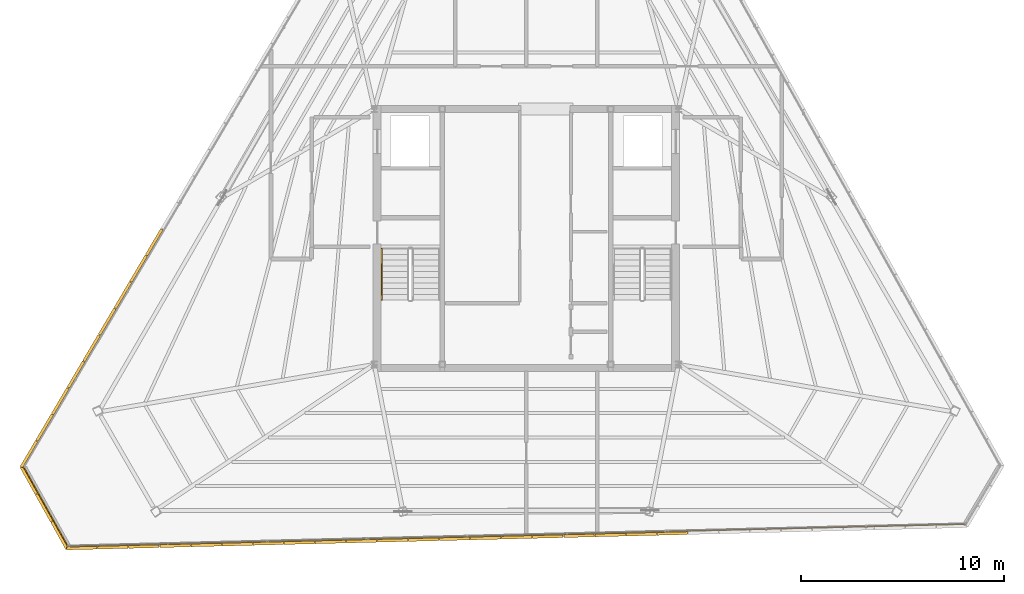
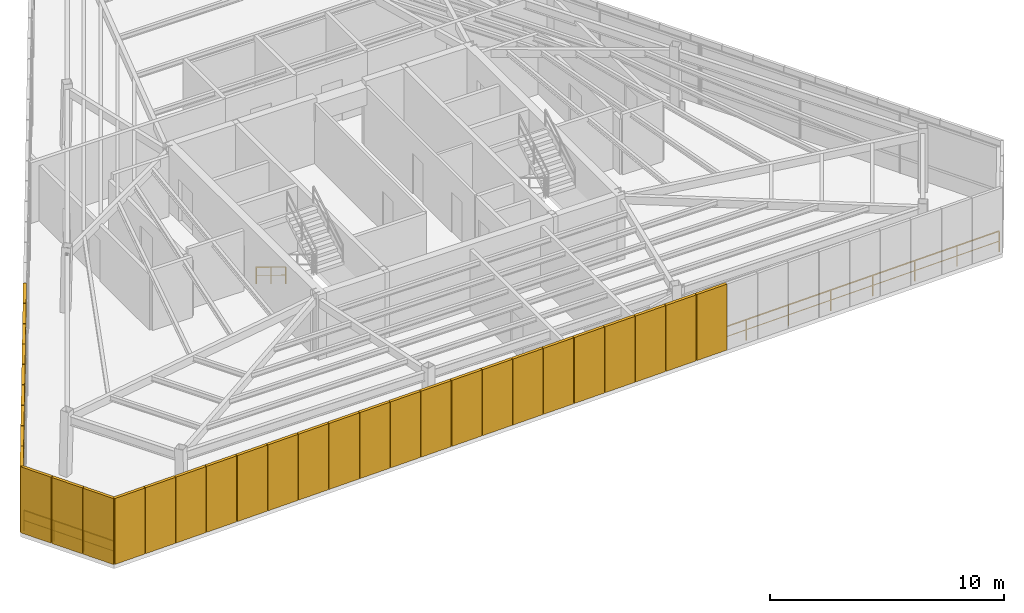
# One storey, part 42 of 44: 32 shading devices, 3 railings.
"""IFC4 building model written with IfcOpenShell, lengths in metres."""

from ifc_helpers import new_model, si_unit, direction, frame, origin, origin_2d, place, context, subcontext, project, spatial, rectangle, extrude, source, transform, mapped, material, layer, layer_set, type_object, type_shapes, element, save


model = new_model("IFC4")

# Units and contexts
model_context = context("Model", 3, precision=1e-05, world=origin(), true_north=direction((0.0, 1.0)))
body_context = subcontext(model_context, "Body", "Model", "MODEL_VIEW")
ifc_project = project(units=[si_unit("LENGTHUNIT", "METRE"), si_unit("AREAUNIT", "SQUARE_METRE"), si_unit("VOLUMEUNIT", "CUBIC_METRE"), si_unit("PLANEANGLEUNIT", "RADIAN"), si_unit("MASSUNIT", "GRAM", prefix="KILO")], contexts=[model_context])

# Site, building, storey
site_placement = place(None, origin())
site = spatial("IfcSite", under=ifc_project, at=site_placement, CompositionType="ELEMENT")
building_placement = place(site_placement, origin())
building = spatial("IfcBuilding", under=site, at=building_placement, Name="Caelisora Broadcast Tower", CompositionType="ELEMENT")
storey_placement = place(building_placement, frame((0.0, 0.0, 296.60009765625)))
storey = spatial("IfcBuildingStorey", under=building, at=storey_placement, Name="L78", CompositionType="ELEMENT", Elevation=296.60009765625)

# Railings
ifc_material_1 = material(Name="Galvanised Steel Safety Guardrail", Category="steel")
ifc_layer_1 = layer(ifc_material_1, 0.048095703125, Name="Galvanised Steel Safety Guardrail")
ifc_layer_set_1 = layer_set([ifc_layer_1], Name="Galvanised Steel Safety Guardrail")
railing_type_1 = type_object("IfcRailingType", Name="GR-1", PredefinedType="GUARDRAIL", material=ifc_layer_set_1)
railing_1_placement = place(storey_placement, frame((59.675048828125, 9.51904296875, 0.0)))
element("IfcRailing", 1, at=railing_1_placement, inside=storey, type_object=railing_type_1, Name="L78 balustrade GR-1 #03", PredefinedType="GUARDRAIL", context=body_context, shape_type="SweptSolid", body=[
    extrude(rectangle(XDim=0.048095703125, YDim=0.048095703125, at=origin_2d()), frame((0.0, 0.0, 1.076171875), z_axis=(-0.999694492921, -0.024716812573, 0.0), x_axis=(0.024716812573, -0.999694492921, 0.0)), (0.0, 0.0, 1.0), 44.300537109375),
    extrude(rectangle(XDim=0.03125, YDim=0.03125, at=origin_2d()), frame((0.0, 0.0, 0.550048828125), z_axis=(-0.999694492921, -0.024716812573, 0.0), x_axis=(0.024716812573, -0.999694492921, 0.0)), (0.0, 0.0, 1.0), 44.300537109375),
    extrude(rectangle(XDim=0.0419921875, YDim=0.0419921875, at=origin_2d()), origin(), (0.0, 0.0, 1.0), 1.052001953125),
    extrude(rectangle(XDim=0.0419921875, YDim=0.0419921875, at=origin_2d()), frame((-2.10888671875, -0.05224609375, 0.0)), (0.0, 0.0, 1.0), 1.052001953125),
    extrude(rectangle(XDim=0.0419921875, YDim=0.0419921875, at=origin_2d()), frame((-4.2177734375, -0.104248046875, 0.0)), (0.0, 0.0, 1.0), 1.052001953125),
    extrude(rectangle(XDim=0.0419921875, YDim=0.0419921875, at=origin_2d()), frame((-6.32666015625, -0.156494140625, 0.0)), (0.0, 0.0, 1.0), 1.052001953125),
    extrude(rectangle(XDim=0.0419921875, YDim=0.0419921875, at=origin_2d()), frame((-8.435546875, -0.20849609375, 0.0)), (0.0, 0.0, 1.0), 1.052001953125),
    extrude(rectangle(XDim=0.0419921875, YDim=0.0419921875, at=origin_2d()), frame((-10.54443359375, -0.2607421875, 0.0)), (0.0, 0.0, 1.0), 1.052001953125),
    extrude(rectangle(XDim=0.0419921875, YDim=0.0419921875, at=origin_2d()), frame((-12.653564453125, -0.312744140625, 0.0)), (0.0, 0.0, 1.0), 1.052001953125),
    extrude(rectangle(XDim=0.0419921875, YDim=0.0419921875, at=origin_2d()), frame((-14.762451171875, -0.364990234375, 0.0)), (0.0, 0.0, 1.0), 1.052001953125),
    extrude(rectangle(XDim=0.0419921875, YDim=0.0419921875, at=origin_2d()), frame((-16.871337890625, -0.417236328125, 0.0)), (0.0, 0.0, 1.0), 1.052001953125),
    extrude(rectangle(XDim=0.0419921875, YDim=0.0419921875, at=origin_2d()), frame((-18.980224609375, -0.46923828125, 0.0)), (0.0, 0.0, 1.0), 1.052001953125),
    extrude(rectangle(XDim=0.0419921875, YDim=0.0419921875, at=origin_2d()), frame((-21.089111328125, -0.521484375, 0.0)), (0.0, 0.0, 1.0), 1.052001953125),
    extrude(rectangle(XDim=0.0419921875, YDim=0.0419921875, at=origin_2d()), frame((-23.197998046875, -0.573486328125, 0.0)), (0.0, 0.0, 1.0), 1.052001953125),
    extrude(rectangle(XDim=0.0419921875, YDim=0.0419921875, at=origin_2d()), frame((-25.306884765625, -0.625732421875, 0.0)), (0.0, 0.0, 1.0), 1.052001953125),
    extrude(rectangle(XDim=0.0419921875, YDim=0.0419921875, at=origin_2d()), frame((-27.415771484375, -0.677734375, 0.0)), (0.0, 0.0, 1.0), 1.052001953125),
    extrude(rectangle(XDim=0.0419921875, YDim=0.0419921875, at=origin_2d()), frame((-29.524658203125, -0.72998046875, 0.0)), (0.0, 0.0, 1.0), 1.052001953125),
    extrude(rectangle(XDim=0.0419921875, YDim=0.0419921875, at=origin_2d()), frame((-31.633544921875, -0.7822265625, 0.0)), (0.0, 0.0, 1.0), 1.052001953125),
    extrude(rectangle(XDim=0.0419921875, YDim=0.0419921875, at=origin_2d()), frame((-33.74267578125, -0.834228515625, 0.0)), (0.0, 0.0, 1.0), 1.052001953125),
    extrude(rectangle(XDim=0.0419921875, YDim=0.0419921875, at=origin_2d()), frame((-35.8515625, -0.886474609375, 0.0)), (0.0, 0.0, 1.0), 1.052001953125),
    extrude(rectangle(XDim=0.0419921875, YDim=0.0419921875, at=origin_2d()), frame((-37.96044921875, -0.9384765625, 0.0)), (0.0, 0.0, 1.0), 1.052001953125),
    extrude(rectangle(XDim=0.0419921875, YDim=0.0419921875, at=origin_2d()), frame((-40.0693359375, -0.99072265625, 0.0)), (0.0, 0.0, 1.0), 1.052001953125),
    extrude(rectangle(XDim=0.0419921875, YDim=0.0419921875, at=origin_2d()), frame((-42.17822265625, -1.042724609375, 0.0)), (0.0, 0.0, 1.0), 1.052001953125),
    extrude(rectangle(XDim=0.0419921875, YDim=0.0419921875, at=origin_2d()), frame((-44.287109375, -1.094970703125, 0.0)), (0.0, 0.0, 1.0), 1.052001953125),
])
railing_2_placement = place(storey_placement, frame((15.387939453125, 8.424072265625, 0.0)))
element("IfcRailing", 2, at=railing_2_placement, inside=storey, type_object=railing_type_1, Name="L78 balustrade GR-1 #04", PredefinedType="GUARDRAIL", context=body_context, shape_type="SweptSolid", body=[
    extrude(rectangle(XDim=0.048095703125, YDim=0.048095703125, at=origin_2d()), frame((0.0, 0.0, 1.076171875), z_axis=(-0.487259964811, 0.873256964869, 0.0), x_axis=(-0.873256964869, -0.487259964811, 0.0)), (0.0, 0.0, 1.0), 4.484375),
    extrude(rectangle(XDim=0.03125, YDim=0.03125, at=origin_2d()), frame((0.0, 0.0, 0.550048828125), z_axis=(-0.487259964811, 0.873256964869, 0.0), x_axis=(-0.873256964869, -0.487259964811, 0.0)), (0.0, 0.0, 1.0), 4.484375),
    extrude(rectangle(XDim=0.0419921875, YDim=0.0419921875, at=origin_2d()), origin(), (0.0, 0.0, 1.0), 1.052001953125),
    extrude(rectangle(XDim=0.0419921875, YDim=0.0419921875, at=origin_2d()), frame((-0.728271484375, 1.305419921875, 0.0)), (0.0, 0.0, 1.0), 1.052001953125),
    extrude(rectangle(XDim=0.0419921875, YDim=0.0419921875, at=origin_2d()), frame((-1.456787109375, 2.610595703125, 0.0)), (0.0, 0.0, 1.0), 1.052001953125),
    extrude(rectangle(XDim=0.0419921875, YDim=0.0419921875, at=origin_2d()), frame((-2.18505859375, 3.916015625, 0.0)), (0.0, 0.0, 1.0), 1.052001953125),
])
ifc_material_2 = material(Name="Stainless Steel Grade 316 Tubular Handrail", Category="steel")
ifc_layer_2 = layer(ifc_material_2, 0.048095703125, Name="Stainless Steel Grade 316 Tubular Handrail")
ifc_layer_set_2 = layer_set([ifc_layer_2], Name="Stainless Steel Grade 316 Tubular Handrail")
railing_type_2 = type_object("IfcRailingType", Name="HR-1", PredefinedType="HANDRAIL", material=ifc_layer_set_2)
railing_3_placement = place(storey_placement, frame((30.8701171875, 23.10009765625, 0.169921875)))
element("IfcRailing", 3, at=railing_3_placement, inside=storey, type_object=railing_type_2, Name="L78 ST-1 stair handrail 1", PredefinedType="HANDRAIL", context=body_context, shape_type="SweptSolid", body=[
    extrude(rectangle(XDim=0.048095703125, YDim=0.048095703125, at=origin_2d()), frame((0.0, 0.0, 0.8759765625), z_axis=(0.0, -0.85478489116, 0.518982456201), x_axis=(1.0, 0.0, 0.0)), (0.0, 0.0, 1.0), 2.9482421875),
    extrude(rectangle(XDim=0.03125, YDim=0.03125, at=origin_2d()), frame((0.0, 0.0, 0.449951171875), z_axis=(0.0, -0.85478489116, 0.518982456201), x_axis=(1.0, 0.0, 0.0)), (0.0, 0.0, 1.0), 2.9482421875),
    extrude(rectangle(XDim=0.0419921875, YDim=0.0419921875, at=origin_2d()), origin(), (0.0, 0.0, 1.0), 0.851806640625),
    extrude(rectangle(XDim=0.0419921875, YDim=0.0419921875, at=origin_2d()), frame((0.0, -1.260009765625, 0.76513671875)), (0.0, 0.0, 1.0), 0.851806640625),
    extrude(rectangle(XDim=0.0419921875, YDim=0.0419921875, at=origin_2d()), frame((0.0, -2.52001953125, 1.530029296875)), (0.0, 0.0, 1.0), 0.851806640625),
])

# Shading devices
ifc_material_3 = material(Name="Anodised Terracotta Aluminium Acoustic Louvre", Category="aluminium")
ifc_layer_3 = layer(ifc_material_3, 0.139892578125, Name="Anodised Terracotta Aluminium Acoustic Louvre")
ifc_layer_set_3 = layer_set([ifc_layer_3], Name="Anodised Terracotta Aluminium Acoustic Louvre")
shading_device_type = type_object("IfcShadingDeviceType", Name="LV-1", PredefinedType="JALOUSIE", material=ifc_layer_set_3)
shared_shape_1 = source(origin(), body_context, "Body", "SweptSolid", [
    extrude(rectangle(XDim=1.48828125, YDim=0.139892578125, at=origin_2d()), origin(), (0.0, 0.0, 1.0), 3.43994140625),
])
for number, where, z_axis, x_axis, name in (
    (4, (19.642578125, 23.431396484375, -0.02001953125), (0.0, 0.0, 1.0), (-0.508740929096, -0.860919663536, 0.0), "L78 crown acoustic louvre #025"),
    (5, (18.8701171875, 22.12451171875, -0.02001953125), (0.0, 0.0, 1.0), (-0.508740929096, -0.860919663536, 0.0), "L78 crown acoustic louvre #026"),
    (6, (18.09765625, 20.8173828125, -0.02001953125), (0.0, 0.0, 1.0), (-0.508740929096, -0.860919663536, 0.0), "L78 crown acoustic louvre #027"),
    (7, (17.3251953125, 19.51025390625, -0.02001953125), (0.0, 0.0, 1.0), (-0.508740929096, -0.860919663536, 0.0), "L78 crown acoustic louvre #028"),
    (8, (16.552734375, 18.203369140625, -0.02001953125), (0.0, 0.0, 1.0), (-0.508740929096, -0.860919663536, 0.0), "L78 crown acoustic louvre #029"),
    (9, (15.7802734375, 16.896240234375, -0.02001953125), (0.0, 0.0, 1.0), (-0.508740929096, -0.860919663536, 0.0), "L78 crown acoustic louvre #030"),
    (10, (15.0078125, 15.589111328125, -0.02001953125), (0.0, 0.0, 1.0), (-0.508740929096, -0.860919663536, 0.0), "L78 crown acoustic louvre #031"),
    (11, (14.235107421875, 14.2822265625, -0.02001953125), (0.0, 0.0, 1.0), (-0.508740929096, -0.860919663536, 0.0), "L78 crown acoustic louvre #032"),
    (12, (13.462646484375, 12.97509765625, -0.02001953125), (0.0, 0.0, 1.0), (-0.508740929096, -0.860919663536, 0.0), "L78 crown acoustic louvre #033"),
):
    element("IfcShadingDevice", number, at=place(storey_placement, frame(where, z_axis=z_axis, x_axis=x_axis)), inside=storey, type_object=shading_device_type, Name=name, PredefinedType="JALOUSIE", context=body_context, shape_type="MappedRepresentation", body=[
        mapped(shared_shape_1, transform((0.0, 0.0, 0.0), scale=1.0)),
    ])
shared_shape_2 = source(origin(), body_context, "Body", "SweptSolid", [
    extrude(rectangle(XDim=1.519775390625, YDim=0.139892578125, at=origin_2d()), origin(), (0.0, 0.0, 1.0), 3.43994140625),
])
for number, where, z_axis, x_axis, name in (
    (13, (13.454345703125, 11.684814453125, -0.02001953125), (0.0, 0.0, 1.0), (0.487250125725, -0.87326245481, 0.0), "L78 crown acoustic louvre #034"),
    (14, (14.20947265625, 10.33154296875, -0.02001953125), (0.0, 0.0, 1.0), (0.487250125725, -0.87326245481, 0.0), "L78 crown acoustic louvre #035"),
    (15, (14.96435546875, 8.978271484375, -0.02001953125), (0.0, 0.0, 1.0), (0.487250125725, -0.87326245481, 0.0), "L78 crown acoustic louvre #036"),
):
    element("IfcShadingDevice", number, at=place(storey_placement, frame(where, z_axis=z_axis, x_axis=x_axis)), inside=storey, type_object=shading_device_type, Name=name, PredefinedType="JALOUSIE", context=body_context, shape_type="MappedRepresentation", body=[
        mapped(shared_shape_2, transform((0.0, 0.0, 0.0), scale=1.0)),
    ])
shared_shape_3 = source(origin(), body_context, "Body", "SweptSolid", [
    extrude(rectangle(XDim=1.503173828125, YDim=0.139892578125, at=origin_2d()), origin(), (0.0, 0.0, 1.0), 3.43994140625),
])
type_shapes(shading_device_type, [shared_shape_1, shared_shape_2, shared_shape_3])
for number, where, z_axis, x_axis, name in (
    (16, (16.072509765625, 8.3408203125, -0.02001953125), (0.0, 0.0, 1.0), (0.999692900437, 0.024781138308, 0.0), "L78 crown acoustic louvre #037"),
    (17, (17.60498046875, 8.37890625, -0.02001953125), (0.0, 0.0, 1.0), (0.999692900437, 0.024781138308, 0.0), "L78 crown acoustic louvre #038"),
    (18, (19.1376953125, 8.416748046875, -0.02001953125), (0.0, 0.0, 1.0), (0.999692900437, 0.024781138308, 0.0), "L78 crown acoustic louvre #039"),
    (19, (20.67041015625, 8.45458984375, -0.02001953125), (0.0, 0.0, 1.0), (0.999692900437, 0.024781138308, 0.0), "L78 crown acoustic louvre #040"),
    (20, (22.203369140625, 8.492431640625, -0.02001953125), (0.0, 0.0, 1.0), (0.999692900437, 0.024781138308, 0.0), "L78 crown acoustic louvre #041"),
    (21, (23.736083984375, 8.530517578125, -0.02001953125), (0.0, 0.0, 1.0), (0.999692900437, 0.024781138308, 0.0), "L78 crown acoustic louvre #042"),
    (22, (25.268798828125, 8.568359375, -0.02001953125), (0.0, 0.0, 1.0), (0.999692900437, 0.024781138308, 0.0), "L78 crown acoustic louvre #043"),
    (23, (26.801513671875, 8.606201171875, -0.02001953125), (0.0, 0.0, 1.0), (0.999692900437, 0.024781138308, 0.0), "L78 crown acoustic louvre #044"),
    (24, (28.334228515625, 8.64404296875, -0.02001953125), (0.0, 0.0, 1.0), (0.999692900437, 0.024781138308, 0.0), "L78 crown acoustic louvre #045"),
    (25, (29.866943359375, 8.681884765625, -0.02001953125), (0.0, 0.0, 1.0), (0.999692900437, 0.024781138308, 0.0), "L78 crown acoustic louvre #046"),
    (26, (31.399658203125, 8.719970703125, -0.02001953125), (0.0, 0.0, 1.0), (0.999692900437, 0.024781138308, 0.0), "L78 crown acoustic louvre #047"),
    (27, (32.932373046875, 8.7578125, -0.02001953125), (0.0, 0.0, 1.0), (0.999692900437, 0.024781138308, 0.0), "L78 crown acoustic louvre #048"),
    (28, (34.465087890625, 8.795654296875, -0.02001953125), (0.0, 0.0, 1.0), (0.999692900437, 0.024781138308, 0.0), "L78 crown acoustic louvre #049"),
    (29, (35.997802734375, 8.83349609375, -0.02001953125), (0.0, 0.0, 1.0), (0.999692900437, 0.024781138308, 0.0), "L78 crown acoustic louvre #050"),
    (30, (37.530517578125, 8.87158203125, -0.02001953125), (0.0, 0.0, 1.0), (0.999692900437, 0.024781138308, 0.0), "L78 crown acoustic louvre #051"),
    (31, (39.063232421875, 8.909423828125, -0.02001953125), (0.0, 0.0, 1.0), (0.999692900437, 0.024781138308, 0.0), "L78 crown acoustic louvre #052"),
    (32, (40.595947265625, 8.947265625, -0.02001953125), (0.0, 0.0, 1.0), (0.999692900437, 0.024781138308, 0.0), "L78 crown acoustic louvre #053"),
    (33, (42.128662109375, 8.985107421875, -0.02001953125), (0.0, 0.0, 1.0), (0.999692900437, 0.024781138308, 0.0), "L78 crown acoustic louvre #054"),
    (34, (43.661376953125, 9.023193359375, -0.02001953125), (0.0, 0.0, 1.0), (0.999692900437, 0.024781138308, 0.0), "L78 crown acoustic louvre #055"),
    (35, (45.194091796875, 9.06103515625, -0.02001953125), (0.0, 0.0, 1.0), (0.999692900437, 0.024781138308, 0.0), "L78 crown acoustic louvre #056"),
):
    element("IfcShadingDevice", number, at=place(storey_placement, frame(where, z_axis=z_axis, x_axis=x_axis)), inside=storey, type_object=shading_device_type, Name=name, PredefinedType="JALOUSIE", context=body_context, shape_type="MappedRepresentation", body=[
        mapped(shared_shape_3, transform((0.0, 0.0, 0.0), scale=1.0)),
    ])

save(model, "model.ifc")
